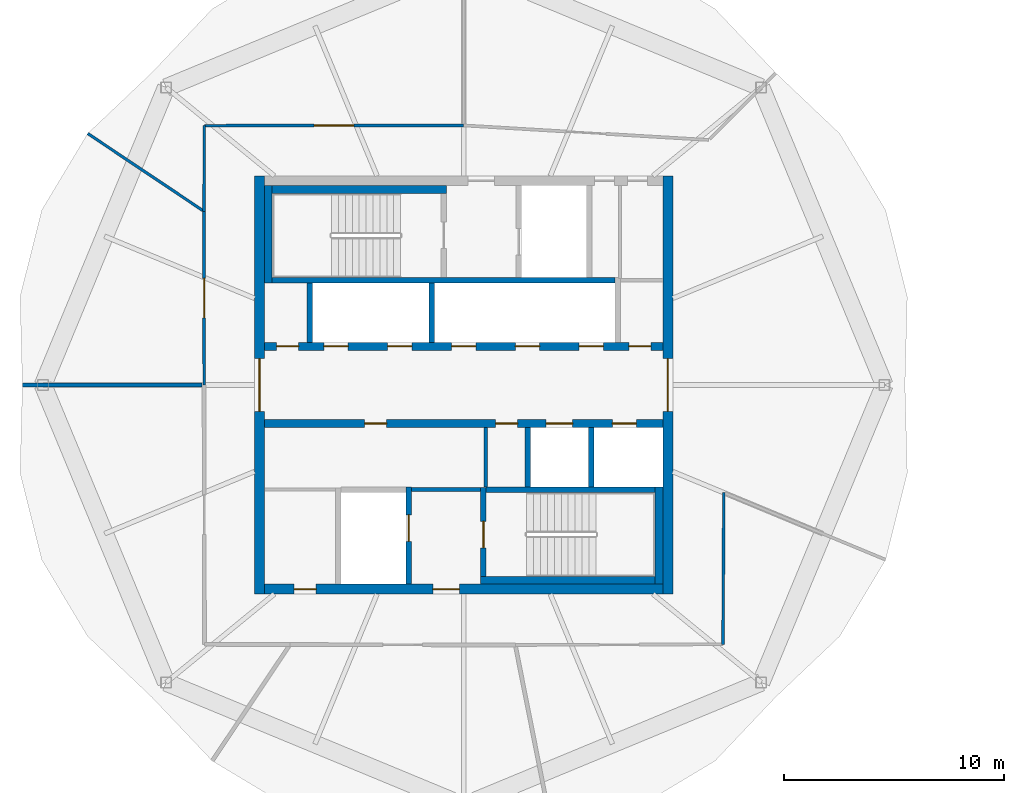
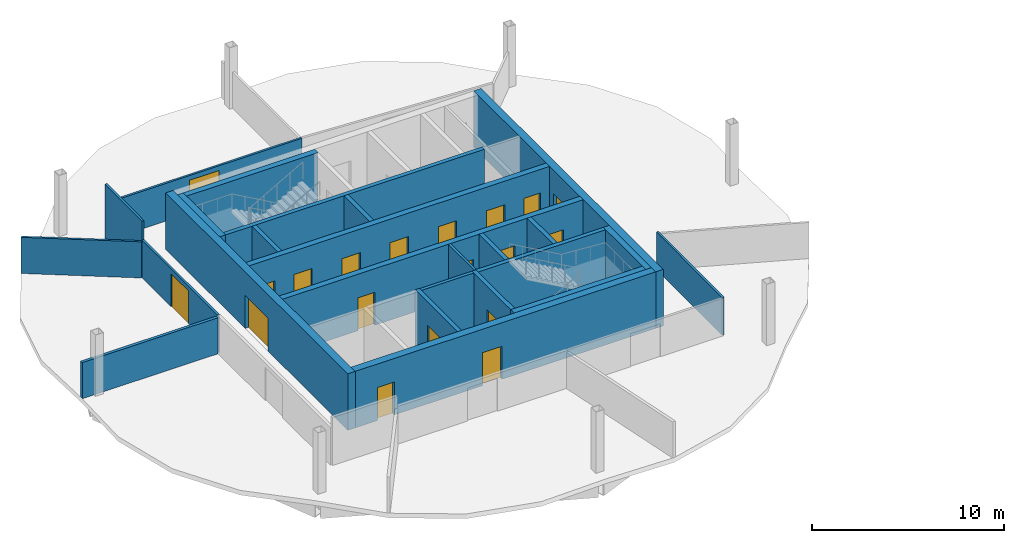
# One storey, part 5 of 10: 25 walls, 19 doors, 19 openings.
"""IFC4 building model written with IfcOpenShell, lengths in metres."""

from ifc_helpers import new_model, si_unit, direction, frame, frame_2d, origin, place, context, subcontext, project, spatial, rectangle, extrude, material, layer, layer_set, type_object, element, fill, save


model = new_model("IFC4")

# Units and contexts
model_context = context("Model", 3, precision=1e-05, world=origin(), true_north=direction((0.0, 1.0)))
body_context = subcontext(model_context, "Body", "Model", "MODEL_VIEW")
ifc_project = project(units=[si_unit("LENGTHUNIT", "METRE"), si_unit("AREAUNIT", "SQUARE_METRE"), si_unit("VOLUMEUNIT", "CUBIC_METRE"), si_unit("PLANEANGLEUNIT", "RADIAN"), si_unit("MASSUNIT", "GRAM", prefix="KILO")], contexts=[model_context])

# Site, building, storey
site_placement = place(None, origin())
site = spatial("IfcSite", under=ifc_project, at=site_placement, CompositionType="ELEMENT")
building_placement = place(site_placement, origin())
building = spatial("IfcBuilding", under=site, at=building_placement, Name="Ogive Gate Towers", CompositionType="ELEMENT")
storey_placement = place(building_placement, frame((0.0, 0.0, 232.800048828125)))
storey = spatial("IfcBuildingStorey", under=building, at=storey_placement, Name="L55", CompositionType="ELEMENT", Elevation=232.800048828125)

# Walls
ifc_material_1 = material(Name="Gypsum board acoustic partition")
ifc_layer_1 = layer(ifc_material_1, 0.175048828125)
ifc_layer_set_1 = layer_set([ifc_layer_1], Name="Acoustic partition 175")
wall_type_1 = type_object("IfcWallType", Name="Acoustic partition 175", PredefinedType="PARTITIONING", material=ifc_layer_set_1)
wall_1_placement = place(storey_placement, frame((-56.049072265625, 0.0, 0.0), z_axis=(0.0, 0.0, 1.0), x_axis=(1.0, 0.0, 0.0)))
element("IfcWall", 1, at=wall_1_placement, inside=storey, type_object=wall_type_1, Name="Partition T1-L55-004", PredefinedType="PARTITIONING", context=body_context, shape_type="SweptSolid", body=[
    extrude(rectangle(XDim=8.171630859375, YDim=0.175048828125, at=frame_2d((4.0859375, 0.0))), origin(), (0.0, 0.0, 1.0), 2.300048828125),
])
ifc_material_2 = material(Name="Masonry blockwork", Category="masonry")
ifc_layer_2 = layer(ifc_material_2, 0.199951171875)
ifc_layer_set_2 = layer_set([ifc_layer_2], Name="Blockwork wall 200 mm")
wall_type_2 = type_object("IfcWallType", Name="Blockwork wall 200 mm", PredefinedType="PARTITIONING", material=ifc_layer_set_2)
wall_2_placement = place(storey_placement, frame((-38.375, -4.75, 0.0), z_axis=(0.0, 0.0, 1.0), x_axis=(1.0, 0.0, 0.0)))
element("IfcWall", 2, at=wall_2_placement, inside=storey, type_object=wall_type_2, Name="T1 L55 Blockwork wall 200 mm", PredefinedType="PARTITIONING", context=body_context, shape_type="SweptSolid", body=[
    extrude(rectangle(XDim=3.14990234375, YDim=0.199951171875, at=frame_2d((1.574951171875, 0.0))), origin(), (0.0, 0.0, 1.0), 3.599853515625),
])

# Wall, openings, doors
ifc_material_3 = material(Name="Concrete C60/75", Category="concrete")
ifc_layer_3 = layer(ifc_material_3, 0.449951171875)
ifc_layer_set_3 = layer_set([ifc_layer_3], Name="Core wall 450 mm")
wall_type_3 = type_object("IfcWallType", Name="Core wall 450 mm", PredefinedType="SHEAR", material=ifc_layer_set_3)
wall_3_placement = place(storey_placement, frame((-45.050048828125, -9.27490234375, 0.0), z_axis=(0.0, 0.0, 1.0), x_axis=(1.0, 0.0, 0.0)))
wall_3 = element("IfcWall", 3, at=wall_3_placement, inside=storey, type_object=wall_type_3, Name="T1 L55 Core wall 450 mm", PredefinedType="SHEAR", context=body_context, shape_type="SweptSolid", body=[
    extrude(rectangle(XDim=18.10009765625, YDim=0.449951171875, at=frame_2d((9.050048828125, 0.0))), origin(), (0.0, 0.0, 1.0), 3.599853515625),
])
opening_1_placement = place(wall_3_placement, frame((7.64990234375, 0.0, 0.0)))
opening_1 = element("IfcOpeningElement", 4, at=opening_1_placement, cuts=wall_3, Name="Opening KD-T1-L55-19", PredefinedType="OPENING", context=body_context, shape_type="SweptSolid", body=[
    extrude(rectangle(XDim=1.199951171875, YDim=2.10009765625, at=frame_2d((0.60009765625, 1.050048828125))), frame((0.0, 0.23486328125, 0.0), z_axis=(0.0, -1.0, 0.0), x_axis=(1.0, 0.0, 0.0)), (0.0, 0.0, 1.0), 0.469970703125),
])
opening_2_placement = place(wall_3_placement, frame((1.35009765625, 0.0, 0.0)))
opening_2 = element("IfcOpeningElement", 5, at=opening_2_placement, cuts=wall_3, Name="Opening KD-T1-L55-22", PredefinedType="OPENING", context=body_context, shape_type="SweptSolid", body=[
    extrude(rectangle(XDim=1.0, YDim=2.10009765625, at=frame_2d((0.5, 1.050048828125))), frame((0.0, 0.23486328125, 0.0), z_axis=(0.0, -1.0, 0.0), x_axis=(1.0, 0.0, 0.0)), (0.0, 0.0, 1.0), 0.469970703125),
])
ifc_material_4 = material(Name="Timber door", Category="wood")
door_type_1 = type_object("IfcDoorType", Name="Accessible WC door 1000 x 2100", OperationType="NOTDEFINED", PredefinedType="DOOR", material=ifc_material_4)
door_1_placement = place(opening_2_placement, origin())
door_1 = element("IfcDoor", 6, at=door_1_placement, inside=storey, type_object=door_type_1, Name="T1 L55 Core door", OperationType="SINGLE_SWING_LEFT", OverallHeight=2.10009765625, OverallWidth=1.0, PredefinedType="DOOR", context=body_context, shape_type="SweptSolid", body=[
    extrude(rectangle(XDim=1.0, YDim=2.10009765625, at=frame_2d((0.5, 1.050048828125))), frame((0.0, 0.02490234375, 0.0), z_axis=(0.0, -1.0, 0.0), x_axis=(1.0, 0.0, 0.0)), (0.0, 0.0, 1.0), 0.050048828125),
])
fill(opening_2, door_1)
ifc_material_5 = material(Name="Steel fire door", Category="steel")
door_type_2 = type_object("IfcDoorType", Name="Core door FD60S 1200 x 2100", OperationType="NOTDEFINED", PredefinedType="DOOR", material=ifc_material_5)
door_2_placement = place(opening_1_placement, origin())
door_2 = element("IfcDoor", 7, at=door_2_placement, inside=storey, type_object=door_type_2, Name="T1 L55 Fire-fighting lobby door", OperationType="SINGLE_SWING_RIGHT", OverallHeight=2.10009765625, OverallWidth=1.199951171875, PredefinedType="DOOR", context=body_context, shape_type="SweptSolid", body=[
    extrude(rectangle(XDim=1.199951171875, YDim=2.10009765625, at=frame_2d((0.60009765625, 1.050048828125))), frame((0.0, 0.02490234375, 0.0), z_axis=(0.0, -1.0, 0.0), x_axis=(1.0, 0.0, 0.0)), (0.0, 0.0, 1.0), 0.050048828125),
])
fill(opening_1, door_2)

# Wall, opening, door
wall_4_placement = place(storey_placement, frame((-45.27490234375, -9.5, 0.0), z_axis=(0.0, 0.0, 1.0), x_axis=(0.0, 1.0, 0.0)))
wall_4 = element("IfcWall", 8, at=wall_4_placement, inside=storey, type_object=wall_type_3, Name="T1 L55 Core wall 450 mm", PredefinedType="SHEAR", context=body_context, shape_type="SweptSolid", body=[
    extrude(rectangle(XDim=19.0, YDim=0.449951171875, at=frame_2d((9.5, 0.0))), origin(), (0.0, 0.0, 1.0), 3.599853515625),
])
opening_3_placement = place(wall_4_placement, frame((8.300048828125, 0.0, 0.0)))
opening_3 = element("IfcOpeningElement", 9, at=opening_3_placement, cuts=wall_4, Name="Opening KD-T1-L55-01", PredefinedType="OPENING", context=body_context, shape_type="SweptSolid", body=[
    extrude(rectangle(XDim=2.39990234375, YDim=2.10009765625, at=frame_2d((1.199951171875, 1.050048828125))), frame((0.0, 0.23486328125, 0.0), z_axis=(0.0, -1.0, 0.0), x_axis=(1.0, 0.0, 0.0)), (0.0, 0.0, 1.0), 0.469970703125),
])
door_type_3 = type_object("IfcDoorType", Name="Core double door FD60S 2400 x 2100", OperationType="DOUBLE_DOOR_SINGLE_SWING", PredefinedType="DOOR", material=ifc_material_5)
door_3_placement = place(opening_3_placement, origin())
door_3 = element("IfcDoor", 10, at=door_3_placement, inside=storey, type_object=door_type_3, Name="T1 L55 Core door double", OperationType="DOUBLE_DOOR_SINGLE_SWING", OverallHeight=2.10009765625, OverallWidth=2.39990234375, PredefinedType="DOOR", context=body_context, shape_type="SweptSolid", body=[
    extrude(rectangle(XDim=2.39990234375, YDim=2.10009765625, at=frame_2d((1.199951171875, 1.050048828125))), frame((0.0, 0.02490234375, 0.0), z_axis=(0.0, -1.0, 0.0), x_axis=(1.0, 0.0, 0.0)), (0.0, 0.0, 1.0), 0.050048828125),
])
fill(opening_3, door_3)

wall_5_placement = place(storey_placement, frame((-26.72509765625, -9.5, 0.0), z_axis=(0.0, 0.0, 1.0), x_axis=(0.0, 1.0, 0.0)))
wall_5 = element("IfcWall", 11, at=wall_5_placement, inside=storey, type_object=wall_type_3, Name="T1 L55 Core wall 450 mm", PredefinedType="SHEAR", context=body_context, shape_type="SweptSolid", body=[
    extrude(rectangle(XDim=19.0, YDim=0.449951171875, at=frame_2d((9.5, 0.0))), origin(), (0.0, 0.0, 1.0), 3.599853515625),
])
opening_4_placement = place(wall_5_placement, frame((8.300048828125, 0.0, 0.0)))
opening_4 = element("IfcOpeningElement", 12, at=opening_4_placement, cuts=wall_5, Name="Opening KD-T1-L55-02", PredefinedType="OPENING", context=body_context, shape_type="SweptSolid", body=[
    extrude(rectangle(XDim=2.39990234375, YDim=2.10009765625, at=frame_2d((1.199951171875, 1.050048828125))), frame((0.0, 0.23486328125, 0.0), z_axis=(0.0, -1.0, 0.0), x_axis=(1.0, 0.0, 0.0)), (0.0, 0.0, 1.0), 0.469970703125),
])
door_4_placement = place(opening_4_placement, origin())
door_4 = element("IfcDoor", 13, at=door_4_placement, inside=storey, type_object=door_type_3, Name="T1 L55 Core door double", OperationType="DOUBLE_DOOR_SINGLE_SWING", OverallHeight=2.10009765625, OverallWidth=2.39990234375, PredefinedType="DOOR", context=body_context, shape_type="SweptSolid", body=[
    extrude(rectangle(XDim=2.39990234375, YDim=2.10009765625, at=frame_2d((1.199951171875, 1.050048828125))), frame((0.0, 0.02490234375, 0.0), z_axis=(0.0, -1.0, 0.0), x_axis=(1.0, 0.0, 0.0)), (0.0, 0.0, 1.0), 0.050048828125),
])
fill(opening_4, door_4)

# Walls
ifc_material_6 = material(Name="Gypsum board partition")
ifc_layer_4 = layer(ifc_material_6, 0.125)
ifc_layer_set_4 = layer_set([ifc_layer_4], Name="Partition 125")
wall_type_4 = type_object("IfcWallType", Name="Partition 125", PredefinedType="PARTITIONING", material=ifc_layer_set_4)
wall_6_placement = place(storey_placement, frame((-53.081298828125, 11.424072265625, 0.0), z_axis=(0.0, 0.0, 1.0), x_axis=(0.831214202949, -0.555952290054, 0.0)))
element("IfcWall", 14, at=wall_6_placement, inside=storey, type_object=wall_type_4, Name="Partition T1-L55-003", PredefinedType="PARTITIONING", context=body_context, shape_type="SweptSolid", body=[
    extrude(rectangle(XDim=6.29638671875, YDim=0.125, at=frame_2d((3.148193359375, 0.0))), origin(), (0.0, 0.0, 1.0), 2.300048828125),
])
wall_7_placement = place(storey_placement, frame((-24.219970703125, -11.780029296875, 0.0), z_axis=(0.0, 0.0, 1.0), x_axis=(0.005425259683, 0.99998528317, 0.0)))
element("IfcWall", 15, at=wall_7_placement, inside=storey, type_object=wall_type_4, Name="Partition T1-L55-010", PredefinedType="PARTITIONING", context=body_context, shape_type="SweptSolid", body=[
    extrude(rectangle(XDim=6.885009765625, YDim=0.125, at=frame_2d((3.4423828125, 0.0))), origin(), (0.0, 0.0, 1.0), 2.39990234375),
])

# Wall, opening, door
wall_8_placement = place(storey_placement, frame((-36.0, 11.7900390625, 0.0), z_axis=(0.0, 0.0, 1.0), x_axis=(-0.999999638985, -0.000849723015, 0.0)))
wall_8 = element("IfcWall", 16, at=wall_8_placement, inside=storey, type_object=wall_type_4, Name="Partition T1-L55-012", PredefinedType="PARTITIONING", context=body_context, shape_type="SweptSolid", body=[
    extrude(rectangle(XDim=11.780029296875, YDim=0.125, at=frame_2d((5.89013671875, 0.0))), origin(), (0.0, 0.0, 1.0), 2.39990234375),
])
opening_5_placement = place(wall_8_placement, frame((4.989990234375, 0.0, 0.0)))
opening_5 = element("IfcOpeningElement", 17, at=opening_5_placement, cuts=wall_8, Name="Opening T1-L55-D04", PredefinedType="OPENING", context=body_context, shape_type="SweptSolid", body=[
    extrude(rectangle(XDim=1.800048828125, YDim=2.10009765625, at=frame_2d((0.89990234375, 1.050048828125))), frame((0.0, 0.072509765625, 0.0), z_axis=(0.0, -1.0, 0.0), x_axis=(1.0, 0.0, 0.0)), (0.0, 0.0, 1.0), 0.14501953125),
])
door_type_4 = type_object("IfcDoorType", Name="Door pair 1800", OperationType="NOTDEFINED", PredefinedType="DOOR", material=ifc_material_4)
door_5_placement = place(opening_5_placement, origin())
door_5 = element("IfcDoor", 18, at=door_5_placement, inside=storey, type_object=door_type_4, Name="Door T1-L55-D04", OperationType="DOUBLE_DOOR_DOUBLE_SWING", OverallHeight=2.10009765625, OverallWidth=1.800048828125, PredefinedType="DOOR", context=body_context, shape_type="SweptSolid", body=[
    extrude(rectangle(XDim=1.800048828125, YDim=2.10009765625, at=frame_2d((0.89990234375, 1.050048828125))), frame((0.0, 0.02490234375, 0.0), z_axis=(0.0, -1.0, 0.0), x_axis=(1.0, 0.0, 0.0)), (0.0, 0.0, 1.0), 0.050048828125),
])
fill(opening_5, door_5)

# Wall
wall_9_placement = place(storey_placement, frame((-47.780029296875, 11.780029296875, 0.0), z_axis=(0.0, 0.0, 1.0), x_axis=(-0.004015527922, -0.999991937735, 0.0)))
element("IfcWall", 19, at=wall_9_placement, inside=storey, type_object=wall_type_4, Name="Partition T1-L55-013", PredefinedType="PARTITIONING", context=body_context, shape_type="SweptSolid", body=[
    extrude(rectangle(XDim=3.89111328125, YDim=0.125, at=frame_2d((1.945556640625, 0.0))), origin(), (0.0, 0.0, 1.0), 3.599853515625),
])

# Wall, opening, door
wall_10_placement = place(storey_placement, frame((-47.795654296875, 7.888916015625, 0.0), z_axis=(0.0, 0.0, 1.0), x_axis=(0.000711787645, -0.999999746679, 0.0)))
wall_10 = element("IfcWall", 20, at=wall_10_placement, inside=storey, type_object=wall_type_4, Name="Partition T1-L55-014", PredefinedType="PARTITIONING", context=body_context, shape_type="SweptSolid", body=[
    extrude(rectangle(XDim=7.888916015625, YDim=0.125, at=frame_2d((3.9443359375, 0.0))), origin(), (0.0, 0.0, 1.0), 2.39990234375),
])
opening_6_placement = place(wall_10_placement, frame((3.0439453125, 0.0, 0.0)))
opening_6 = element("IfcOpeningElement", 21, at=opening_6_placement, cuts=wall_10, Name="Opening T1-L55-D05", PredefinedType="OPENING", context=body_context, shape_type="SweptSolid", body=[
    extrude(rectangle(XDim=1.800048828125, YDim=2.10009765625, at=frame_2d((0.89990234375, 1.050048828125))), frame((0.0, 0.072509765625, 0.0), z_axis=(0.0, -1.0, 0.0), x_axis=(1.0, 0.0, 0.0)), (0.0, 0.0, 1.0), 0.14501953125),
])
door_6_placement = place(opening_6_placement, origin())
door_6 = element("IfcDoor", 22, at=door_6_placement, inside=storey, type_object=door_type_4, Name="Door T1-L55-D05", OperationType="DOUBLE_DOOR_DOUBLE_SWING", OverallHeight=2.10009765625, OverallWidth=1.800048828125, PredefinedType="DOOR", context=body_context, shape_type="SweptSolid", body=[
    extrude(rectangle(XDim=1.800048828125, YDim=2.10009765625, at=frame_2d((0.89990234375, 1.050048828125))), frame((0.0, 0.02490234375, 0.0), z_axis=(0.0, -1.0, 0.0), x_axis=(1.0, 0.0, 0.0)), (0.0, 0.0, 1.0), 0.050048828125),
])
fill(opening_6, door_6)

# Walls
ifc_layer_5 = layer(ifc_material_6, 0.14990234375)
ifc_layer_set_5 = layer_set([ifc_layer_5], Name="Room partition 150 mm")
wall_type_5 = type_object("IfcWallType", Name="Room partition 150 mm", PredefinedType="PARTITIONING", material=ifc_layer_set_5)
wall_11_placement = place(storey_placement, frame((-35.0, -4.625, 0.0), z_axis=(0.0, 0.0, 1.0), x_axis=(0.0, 1.0, 0.0)))
element("IfcWall", 23, at=wall_11_placement, inside=storey, type_object=wall_type_5, Name="T1 L55 Room partition 150 mm", PredefinedType="PARTITIONING", context=body_context, shape_type="SweptSolid", body=[
    extrude(rectangle(XDim=2.699951171875, YDim=0.14990234375, at=frame_2d((1.35009765625, 0.0))), origin(), (0.0, 0.0, 1.0), 3.599853515625),
])
ifc_layer_6 = layer(ifc_material_3, 0.25)
ifc_layer_set_6 = layer_set([ifc_layer_6], Name="Shaft wall 250 mm")
wall_type_6 = type_object("IfcWallType", Name="Shaft wall 250 mm", PredefinedType="SHEAR", material=ifc_layer_set_6)
wall_12_placement = place(storey_placement, frame((-34.97509765625, -4.75, 0.0), z_axis=(0.0, 0.0, 1.0), x_axis=(1.0, 0.0, 0.0)))
element("IfcWall", 24, at=wall_12_placement, inside=storey, type_object=wall_type_6, Name="T1 L55 Shaft wall 250 mm", PredefinedType="SHEAR", context=body_context, shape_type="SweptSolid", body=[
    extrude(rectangle(XDim=7.675048828125, YDim=0.25, at=frame_2d((3.83740234375, 0.0))), origin(), (0.0, 0.0, 1.0), 3.599853515625),
])
wall_13_placement = place(storey_placement, frame((-44.699951171875, 4.75, 0.0), z_axis=(0.0, 0.0, 1.0), x_axis=(1.0, 0.0, 0.0)))
element("IfcWall", 25, at=wall_13_placement, inside=storey, type_object=wall_type_6, Name="T1 L55 Shaft wall 250 mm", PredefinedType="SHEAR", context=body_context, shape_type="SweptSolid", body=[
    extrude(rectangle(XDim=15.574951171875, YDim=0.25, at=frame_2d((7.78759765625, 0.0))), origin(), (0.0, 0.0, 1.0), 3.599853515625),
])
wall_14_placement = place(storey_placement, frame((-43.0, 1.925048828125, 0.0), z_axis=(0.0, 0.0, 1.0), x_axis=(0.0, 1.0, 0.0)))
element("IfcWall", 26, at=wall_14_placement, inside=storey, type_object=wall_type_6, Name="T1 L55 Shaft wall 250 mm", PredefinedType="SHEAR", context=body_context, shape_type="SweptSolid", body=[
    extrude(rectangle(XDim=2.699951171875, YDim=0.25, at=frame_2d((1.35009765625, 0.0))), origin(), (0.0, 0.0, 1.0), 3.599853515625),
])

# Wall, opening, door
wall_15_placement = place(storey_placement, frame((-38.5, -9.050048828125, 0.0), z_axis=(0.0, 0.0, 1.0), x_axis=(0.0, 1.0, 0.0)))
wall_15 = element("IfcWall", 27, at=wall_15_placement, inside=storey, type_object=wall_type_6, Name="T1 L55 Shaft wall 250 mm", PredefinedType="SHEAR", context=body_context, shape_type="SweptSolid", body=[
    extrude(rectangle(XDim=4.425048828125, YDim=0.25, at=frame_2d((2.21240234375, 0.0))), origin(), (0.0, 0.0, 1.0), 3.599853515625),
])
opening_7_placement = place(wall_15_placement, frame((1.949951171875, 0.0, 0.0)))
opening_7 = element("IfcOpeningElement", 28, at=opening_7_placement, cuts=wall_15, Name="Opening LD-T1-L55-13", PredefinedType="OPENING", context=body_context, shape_type="SweptSolid", body=[
    extrude(rectangle(XDim=1.199951171875, YDim=2.10009765625, at=frame_2d((0.60009765625, 1.050048828125))), frame((0.0, 0.135009765625, 0.0), z_axis=(0.0, -1.0, 0.0), x_axis=(1.0, 0.0, 0.0)), (0.0, 0.0, 1.0), 0.27001953125),
])
ifc_material_7 = material(Name="Stainless steel landing door", Category="steel")
door_type_5 = type_object("IfcDoorType", Name="Landing door 1200 x 2100", OperationType="SLIDING_TO_LEFT", PredefinedType="DOOR", material=ifc_material_7)
door_7_placement = place(opening_7_placement, origin())
door_7 = element("IfcDoor", 29, at=door_7_placement, inside=storey, type_object=door_type_5, Name="T1 L55 Lift landing door FF2", OperationType="SLIDING_TO_LEFT", OverallHeight=2.10009765625, OverallWidth=1.199951171875, PredefinedType="DOOR", context=body_context, shape_type="SweptSolid", body=[
    extrude(rectangle(XDim=1.199951171875, YDim=2.10009765625, at=frame_2d((0.60009765625, 1.050048828125))), frame((0.0, 0.02490234375, 0.0), z_axis=(0.0, -1.0, 0.0), x_axis=(1.0, 0.0, 0.0)), (0.0, 0.0, 1.0), 0.050048828125),
])
fill(opening_7, door_7)

# Wall
wall_16_placement = place(storey_placement, frame((-37.449951171875, 1.925048828125, 0.0), z_axis=(0.0, 0.0, 1.0), x_axis=(0.0, 1.0, 0.0)))
element("IfcWall", 30, at=wall_16_placement, inside=storey, type_object=wall_type_6, Name="T1 L55 Shaft wall 250 mm", PredefinedType="SHEAR", context=body_context, shape_type="SweptSolid", body=[
    extrude(rectangle(XDim=2.699951171875, YDim=0.25, at=frame_2d((1.35009765625, 0.0))), origin(), (0.0, 0.0, 1.0), 3.599853515625),
])

# Wall, opening, door
wall_17_placement = place(storey_placement, frame((-35.10009765625, -8.699951171875, 0.0), z_axis=(0.0, 0.0, 1.0), x_axis=(0.0, 1.0, 0.0)))
wall_17 = element("IfcWall", 31, at=wall_17_placement, inside=storey, type_object=wall_type_6, Name="T1 L55 Shaft wall 250 mm", PredefinedType="SHEAR", context=body_context, shape_type="SweptSolid", body=[
    extrude(rectangle(XDim=4.050048828125, YDim=0.25, at=frame_2d((2.02490234375, 0.0))), origin(), (0.0, 0.0, 1.0), 3.599853515625),
])
opening_8_placement = place(wall_17_placement, frame((1.300048828125, 0.0, 0.0)))
opening_8 = element("IfcOpeningElement", 32, at=opening_8_placement, cuts=wall_17, Name="Opening KD-T1-L55-17", PredefinedType="OPENING", context=body_context, shape_type="SweptSolid", body=[
    extrude(rectangle(XDim=1.199951171875, YDim=2.10009765625, at=frame_2d((0.60009765625, 1.050048828125))), frame((0.0, 0.135009765625, 0.0), z_axis=(0.0, -1.0, 0.0), x_axis=(1.0, 0.0, 0.0)), (0.0, 0.0, 1.0), 0.27001953125),
])
door_8_placement = place(opening_8_placement, origin())
door_8 = element("IfcDoor", 33, at=door_8_placement, inside=storey, type_object=door_type_2, Name="T1 L55 Stair door", OperationType="SINGLE_SWING_RIGHT", OverallHeight=2.10009765625, OverallWidth=1.199951171875, PredefinedType="DOOR", context=body_context, shape_type="SweptSolid", body=[
    extrude(rectangle(XDim=1.199951171875, YDim=2.10009765625, at=frame_2d((0.60009765625, 1.050048828125))), frame((0.0, 0.02490234375, 0.0), z_axis=(0.0, -1.0, 0.0), x_axis=(1.0, 0.0, 0.0)), (0.0, 0.0, 1.0), 0.050048828125),
])
fill(opening_8, door_8)

# Walls
for number, where, z_axis, x_axis, name in (
    (34, (-33.10009765625, -4.625, 0.0), (0.0, 0.0, 1.0), (0.0, 1.0, 0.0), "T1 L55 Shaft wall 250 mm"),
    (35, (-30.199951171875, -4.625, 0.0), (0.0, 0.0, 1.0), (0.0, 1.0, 0.0), "T1 L55 Shaft wall 250 mm"),
):
    element("IfcWall", number, at=place(storey_placement, frame(where, z_axis=z_axis, x_axis=x_axis)), inside=storey, type_object=wall_type_6, Name=name, PredefinedType="SHEAR", context=body_context, shape_type="SweptSolid", body=[
        extrude(rectangle(XDim=2.699951171875, YDim=0.25, at=frame_2d((1.35009765625, 0.0))), origin(), (0.0, 0.0, 1.0), 3.599853515625),
    ])

# Wall, openings, doors
ifc_layer_7 = layer(ifc_material_3, 0.35009765625)
ifc_layer_set_7 = layer_set([ifc_layer_7], Name="Spine wall 350 mm")
wall_type_7 = type_object("IfcWallType", Name="Spine wall 350 mm", PredefinedType="SHEAR", material=ifc_layer_set_7)
wall_18_placement = place(storey_placement, frame((-45.050048828125, -1.75, 0.0), z_axis=(0.0, 0.0, 1.0), x_axis=(1.0, 0.0, 0.0)))
wall_18 = element("IfcWall", 36, at=wall_18_placement, inside=storey, type_object=wall_type_7, Name="T1 L55 Spine wall 350 mm", PredefinedType="SHEAR", context=body_context, shape_type="SweptSolid", body=[
    extrude(rectangle(XDim=18.10009765625, YDim=0.35009765625, at=frame_2d((9.050048828125, 0.0))), origin(), (0.0, 0.0, 1.0), 3.599853515625),
])
opening_9_placement = place(wall_18_placement, frame((12.800048828125, 0.0, 0.0)))
opening_9 = element("IfcOpeningElement", 37, at=opening_9_placement, cuts=wall_18, Name="Opening LD-T1-L55-10", PredefinedType="OPENING", context=body_context, shape_type="SweptSolid", body=[
    extrude(rectangle(XDim=1.199951171875, YDim=2.10009765625, at=frame_2d((0.60009765625, 1.050048828125))), frame((0.0, 0.18505859375, 0.0), z_axis=(0.0, -1.0, 0.0), x_axis=(1.0, 0.0, 0.0)), (0.0, 0.0, 1.0), 0.3701171875),
])
opening_10_placement = place(wall_18_placement, frame((15.800048828125, 0.0, 0.0)))
opening_10 = element("IfcOpeningElement", 38, at=opening_10_placement, cuts=wall_18, Name="Opening LD-T1-L55-11", PredefinedType="OPENING", context=body_context, shape_type="SweptSolid", body=[
    extrude(rectangle(XDim=1.10009765625, YDim=2.10009765625, at=frame_2d((0.550048828125, 1.050048828125))), frame((0.0, 0.18505859375, 0.0), z_axis=(0.0, -1.0, 0.0), x_axis=(1.0, 0.0, 0.0)), (0.0, 0.0, 1.0), 0.3701171875),
])
opening_11_placement = place(wall_18_placement, frame((4.550048828125, 0.0, 0.0)))
opening_11 = element("IfcOpeningElement", 39, at=opening_11_placement, cuts=wall_18, Name="Opening KD-T1-L55-14", PredefinedType="OPENING", context=body_context, shape_type="SweptSolid", body=[
    extrude(rectangle(XDim=1.0, YDim=2.10009765625, at=frame_2d((0.5, 1.050048828125))), frame((0.0, 0.18505859375, 0.0), z_axis=(0.0, -1.0, 0.0), x_axis=(1.0, 0.0, 0.0)), (0.0, 0.0, 1.0), 0.3701171875),
])
opening_12_placement = place(wall_18_placement, frame((10.5, 0.0, 0.0)))
opening_12 = element("IfcOpeningElement", 40, at=opening_12_placement, cuts=wall_18, Name="Opening KD-T1-L55-15", PredefinedType="OPENING", context=body_context, shape_type="SweptSolid", body=[
    extrude(rectangle(XDim=1.0, YDim=2.10009765625, at=frame_2d((0.5, 1.050048828125))), frame((0.0, 0.18505859375, 0.0), z_axis=(0.0, -1.0, 0.0), x_axis=(1.0, 0.0, 0.0)), (0.0, 0.0, 1.0), 0.3701171875),
])
door_type_6 = type_object("IfcDoorType", Name="Core door FD60S 1000 x 2100", OperationType="NOTDEFINED", PredefinedType="DOOR", material=ifc_material_5)
door_9_placement = place(opening_11_placement, origin())
door_9 = element("IfcDoor", 41, at=door_9_placement, inside=storey, type_object=door_type_6, Name="T1 L55 Core door", OperationType="SINGLE_SWING_LEFT", OverallHeight=2.10009765625, OverallWidth=1.0, PredefinedType="DOOR", context=body_context, shape_type="SweptSolid", body=[
    extrude(rectangle(XDim=1.0, YDim=2.10009765625, at=frame_2d((0.5, 1.050048828125))), frame((0.0, 0.02490234375, 0.0), z_axis=(0.0, -1.0, 0.0), x_axis=(1.0, 0.0, 0.0)), (0.0, 0.0, 1.0), 0.050048828125),
])
fill(opening_11, door_9)
door_10_placement = place(opening_12_placement, origin())
door_10 = element("IfcDoor", 42, at=door_10_placement, inside=storey, type_object=door_type_6, Name="T1 L55 Core door", OperationType="SINGLE_SWING_RIGHT", OverallHeight=2.10009765625, OverallWidth=1.0, PredefinedType="DOOR", context=body_context, shape_type="SweptSolid", body=[
    extrude(rectangle(XDim=1.0, YDim=2.10009765625, at=frame_2d((0.5, 1.050048828125))), frame((0.0, 0.02490234375, 0.0), z_axis=(0.0, -1.0, 0.0), x_axis=(1.0, 0.0, 0.0)), (0.0, 0.0, 1.0), 0.050048828125),
])
fill(opening_12, door_10)
door_type_7 = type_object("IfcDoorType", Name="Landing door 1100 x 2100", OperationType="SLIDING_TO_LEFT", PredefinedType="DOOR", material=ifc_material_7)
door_11_placement = place(opening_10_placement, origin())
door_11 = element("IfcDoor", 43, at=door_11_placement, inside=storey, type_object=door_type_7, Name="T1 L55 Lift landing door B6", OperationType="SLIDING_TO_LEFT", OverallHeight=2.10009765625, OverallWidth=1.10009765625, PredefinedType="DOOR", context=body_context, shape_type="SweptSolid", body=[
    extrude(rectangle(XDim=1.10009765625, YDim=2.10009765625, at=frame_2d((0.550048828125, 1.050048828125))), frame((0.0, 0.02490234375, 0.0), z_axis=(0.0, -1.0, 0.0), x_axis=(1.0, 0.0, 0.0)), (0.0, 0.0, 1.0), 0.050048828125),
])
fill(opening_10, door_11)
door_12_placement = place(opening_9_placement, origin())
door_12 = element("IfcDoor", 44, at=door_12_placement, inside=storey, type_object=door_type_5, Name="T1 L55 Lift landing door SVC", OperationType="SLIDING_TO_LEFT", OverallHeight=2.10009765625, OverallWidth=1.199951171875, PredefinedType="DOOR", context=body_context, shape_type="SweptSolid", body=[
    extrude(rectangle(XDim=1.199951171875, YDim=2.10009765625, at=frame_2d((0.60009765625, 1.050048828125))), frame((0.0, 0.02490234375, 0.0), z_axis=(0.0, -1.0, 0.0), x_axis=(1.0, 0.0, 0.0)), (0.0, 0.0, 1.0), 0.050048828125),
])
fill(opening_9, door_12)

wall_19_placement = place(storey_placement, frame((-45.050048828125, 1.75, 0.0), z_axis=(0.0, 0.0, 1.0), x_axis=(1.0, 0.0, 0.0)))
wall_19 = element("IfcWall", 45, at=wall_19_placement, inside=storey, type_object=wall_type_7, Name="T1 L55 Spine wall 350 mm", PredefinedType="SHEAR", context=body_context, shape_type="SweptSolid", body=[
    extrude(rectangle(XDim=18.10009765625, YDim=0.35009765625, at=frame_2d((9.050048828125, 0.0))), origin(), (0.0, 0.0, 1.0), 3.599853515625),
])
opening_13_placement = place(wall_19_placement, frame((0.550048828125, 0.0, 0.0)))
opening_13 = element("IfcOpeningElement", 46, at=opening_13_placement, cuts=wall_19, Name="Opening KD-T1-L55-03", PredefinedType="OPENING", context=body_context, shape_type="SweptSolid", body=[
    extrude(rectangle(XDim=1.0, YDim=2.10009765625, at=frame_2d((0.5, 1.050048828125))), frame((0.0, 0.18505859375, 0.0), z_axis=(0.0, -1.0, 0.0), x_axis=(1.0, 0.0, 0.0)), (0.0, 0.0, 1.0), 0.3701171875),
])
opening_14_placement = place(wall_19_placement, frame((2.699951171875, 0.0, 0.0)))
opening_14 = element("IfcOpeningElement", 47, at=opening_14_placement, cuts=wall_19, Name="Opening LD-T1-L55-04", PredefinedType="OPENING", context=body_context, shape_type="SweptSolid", body=[
    extrude(rectangle(XDim=1.10009765625, YDim=2.10009765625, at=frame_2d((0.550048828125, 1.050048828125))), frame((0.0, 0.18505859375, 0.0), z_axis=(0.0, -1.0, 0.0), x_axis=(1.0, 0.0, 0.0)), (0.0, 0.0, 1.0), 0.3701171875),
])
opening_15_placement = place(wall_19_placement, frame((5.60009765625, 0.0, 0.0)))
opening_15 = element("IfcOpeningElement", 48, at=opening_15_placement, cuts=wall_19, Name="Opening LD-T1-L55-05", PredefinedType="OPENING", context=body_context, shape_type="SweptSolid", body=[
    extrude(rectangle(XDim=1.10009765625, YDim=2.10009765625, at=frame_2d((0.550048828125, 1.050048828125))), frame((0.0, 0.18505859375, 0.0), z_axis=(0.0, -1.0, 0.0), x_axis=(1.0, 0.0, 0.0)), (0.0, 0.0, 1.0), 0.3701171875),
])
opening_16_placement = place(wall_19_placement, frame((8.5, 0.0, 0.0)))
opening_16 = element("IfcOpeningElement", 49, at=opening_16_placement, cuts=wall_19, Name="Opening LD-T1-L55-06", PredefinedType="OPENING", context=body_context, shape_type="SweptSolid", body=[
    extrude(rectangle(XDim=1.10009765625, YDim=2.10009765625, at=frame_2d((0.550048828125, 1.050048828125))), frame((0.0, 0.18505859375, 0.0), z_axis=(0.0, -1.0, 0.0), x_axis=(1.0, 0.0, 0.0)), (0.0, 0.0, 1.0), 0.3701171875),
])
opening_17_placement = place(wall_19_placement, frame((11.39990234375, 0.0, 0.0)))
opening_17 = element("IfcOpeningElement", 50, at=opening_17_placement, cuts=wall_19, Name="Opening LD-T1-L55-07", PredefinedType="OPENING", context=body_context, shape_type="SweptSolid", body=[
    extrude(rectangle(XDim=1.10009765625, YDim=2.10009765625, at=frame_2d((0.550048828125, 1.050048828125))), frame((0.0, 0.18505859375, 0.0), z_axis=(0.0, -1.0, 0.0), x_axis=(1.0, 0.0, 0.0)), (0.0, 0.0, 1.0), 0.3701171875),
])
opening_18_placement = place(wall_19_placement, frame((14.300048828125, 0.0, 0.0)))
opening_18 = element("IfcOpeningElement", 51, at=opening_18_placement, cuts=wall_19, Name="Opening LD-T1-L55-08", PredefinedType="OPENING", context=body_context, shape_type="SweptSolid", body=[
    extrude(rectangle(XDim=1.10009765625, YDim=2.10009765625, at=frame_2d((0.550048828125, 1.050048828125))), frame((0.0, 0.18505859375, 0.0), z_axis=(0.0, -1.0, 0.0), x_axis=(1.0, 0.0, 0.0)), (0.0, 0.0, 1.0), 0.3701171875),
])
opening_19_placement = place(wall_19_placement, frame((16.550048828125, 0.0, 0.0)))
opening_19 = element("IfcOpeningElement", 52, at=opening_19_placement, cuts=wall_19, Name="Opening KD-T1-L55-09", PredefinedType="OPENING", context=body_context, shape_type="SweptSolid", body=[
    extrude(rectangle(XDim=1.0, YDim=2.10009765625, at=frame_2d((0.5, 1.050048828125))), frame((0.0, 0.18505859375, 0.0), z_axis=(0.0, -1.0, 0.0), x_axis=(1.0, 0.0, 0.0)), (0.0, 0.0, 1.0), 0.3701171875),
])
door_13_placement = place(opening_13_placement, origin())
door_13 = element("IfcDoor", 53, at=door_13_placement, inside=storey, type_object=door_type_6, Name="T1 L55 Core door", OperationType="SINGLE_SWING_RIGHT", OverallHeight=2.10009765625, OverallWidth=1.0, PredefinedType="DOOR", context=body_context, shape_type="SweptSolid", body=[
    extrude(rectangle(XDim=1.0, YDim=2.10009765625, at=frame_2d((0.5, 1.050048828125))), frame((0.0, 0.02490234375, 0.0), z_axis=(0.0, -1.0, 0.0), x_axis=(1.0, 0.0, 0.0)), (0.0, 0.0, 1.0), 0.050048828125),
])
fill(opening_13, door_13)
door_14_placement = place(opening_19_placement, origin())
door_14 = element("IfcDoor", 54, at=door_14_placement, inside=storey, type_object=door_type_6, Name="T1 L55 Core door", OperationType="SINGLE_SWING_RIGHT", OverallHeight=2.10009765625, OverallWidth=1.0, PredefinedType="DOOR", context=body_context, shape_type="SweptSolid", body=[
    extrude(rectangle(XDim=1.0, YDim=2.10009765625, at=frame_2d((0.5, 1.050048828125))), frame((0.0, 0.02490234375, 0.0), z_axis=(0.0, -1.0, 0.0), x_axis=(1.0, 0.0, 0.0)), (0.0, 0.0, 1.0), 0.050048828125),
])
fill(opening_19, door_14)
door_15_placement = place(opening_14_placement, origin())
door_15 = element("IfcDoor", 55, at=door_15_placement, inside=storey, type_object=door_type_7, Name="T1 L55 Lift landing door B1", OperationType="SLIDING_TO_LEFT", OverallHeight=2.10009765625, OverallWidth=1.10009765625, PredefinedType="DOOR", context=body_context, shape_type="SweptSolid", body=[
    extrude(rectangle(XDim=1.10009765625, YDim=2.10009765625, at=frame_2d((0.550048828125, 1.050048828125))), frame((0.0, 0.02490234375, 0.0), z_axis=(0.0, -1.0, 0.0), x_axis=(1.0, 0.0, 0.0)), (0.0, 0.0, 1.0), 0.050048828125),
])
fill(opening_14, door_15)
door_16_placement = place(opening_15_placement, origin())
door_16 = element("IfcDoor", 56, at=door_16_placement, inside=storey, type_object=door_type_7, Name="T1 L55 Lift landing door B2", OperationType="SLIDING_TO_LEFT", OverallHeight=2.10009765625, OverallWidth=1.10009765625, PredefinedType="DOOR", context=body_context, shape_type="SweptSolid", body=[
    extrude(rectangle(XDim=1.10009765625, YDim=2.10009765625, at=frame_2d((0.550048828125, 1.050048828125))), frame((0.0, 0.02490234375, 0.0), z_axis=(0.0, -1.0, 0.0), x_axis=(1.0, 0.0, 0.0)), (0.0, 0.0, 1.0), 0.050048828125),
])
fill(opening_15, door_16)
door_17_placement = place(opening_16_placement, origin())
door_17 = element("IfcDoor", 57, at=door_17_placement, inside=storey, type_object=door_type_7, Name="T1 L55 Lift landing door B3", OperationType="SLIDING_TO_LEFT", OverallHeight=2.10009765625, OverallWidth=1.10009765625, PredefinedType="DOOR", context=body_context, shape_type="SweptSolid", body=[
    extrude(rectangle(XDim=1.10009765625, YDim=2.10009765625, at=frame_2d((0.550048828125, 1.050048828125))), frame((0.0, 0.02490234375, 0.0), z_axis=(0.0, -1.0, 0.0), x_axis=(1.0, 0.0, 0.0)), (0.0, 0.0, 1.0), 0.050048828125),
])
fill(opening_16, door_17)
door_18_placement = place(opening_17_placement, origin())
door_18 = element("IfcDoor", 58, at=door_18_placement, inside=storey, type_object=door_type_7, Name="T1 L55 Lift landing door B4", OperationType="SLIDING_TO_LEFT", OverallHeight=2.10009765625, OverallWidth=1.10009765625, PredefinedType="DOOR", context=body_context, shape_type="SweptSolid", body=[
    extrude(rectangle(XDim=1.10009765625, YDim=2.10009765625, at=frame_2d((0.550048828125, 1.050048828125))), frame((0.0, 0.02490234375, 0.0), z_axis=(0.0, -1.0, 0.0), x_axis=(1.0, 0.0, 0.0)), (0.0, 0.0, 1.0), 0.050048828125),
])
fill(opening_17, door_18)
door_19_placement = place(opening_18_placement, origin())
door_19 = element("IfcDoor", 59, at=door_19_placement, inside=storey, type_object=door_type_7, Name="T1 L55 Lift landing door B5", OperationType="SLIDING_TO_LEFT", OverallHeight=2.10009765625, OverallWidth=1.10009765625, PredefinedType="DOOR", context=body_context, shape_type="SweptSolid", body=[
    extrude(rectangle(XDim=1.10009765625, YDim=2.10009765625, at=frame_2d((0.550048828125, 1.050048828125))), frame((0.0, 0.02490234375, 0.0), z_axis=(0.0, -1.0, 0.0), x_axis=(1.0, 0.0, 0.0)), (0.0, 0.0, 1.0), 0.050048828125),
])
fill(opening_18, door_19)

# Walls
ifc_layer_8 = layer(ifc_material_3, 0.35009765625)
ifc_layer_set_8 = layer_set([ifc_layer_8], Name="Stair wall 350 mm")
wall_type_8 = type_object("IfcWallType", Name="Stair wall 350 mm", PredefinedType="SHEAR", material=ifc_layer_set_8)
for number, where, z_axis, x_axis, name in (
    (60, (-35.22509765625, -8.875, 0.0), (0.0, 0.0, 1.0), (1.0, 0.0, 0.0), "T1 L55 Stair wall 350 mm"),
    (61, (-44.699951171875, 8.875, 0.0), (0.0, 0.0, 1.0), (1.0, 0.0, 0.0), "T1 L55 Stair wall 350 mm"),
):
    element("IfcWall", number, at=place(storey_placement, frame(where, z_axis=z_axis, x_axis=x_axis)), inside=storey, type_object=wall_type_8, Name=name, PredefinedType="SHEAR", context=body_context, shape_type="SweptSolid", body=[
        extrude(rectangle(XDim=7.925048828125, YDim=0.35009765625, at=frame_2d((3.96240234375, 0.0))), origin(), (0.0, 0.0, 1.0), 3.599853515625),
    ])
for number, where, z_axis, x_axis, name in (
    (62, (-44.875, 4.625, 0.0), (0.0, 0.0, 1.0), (0.0, 1.0, 0.0), "T1 L55 Stair wall 350 mm"),
    (63, (-27.125, -9.050048828125, 0.0), (0.0, 0.0, 1.0), (0.0, 1.0, 0.0), "T1 L55 Stair wall 350 mm"),
):
    element("IfcWall", number, at=place(storey_placement, frame(where, z_axis=z_axis, x_axis=x_axis)), inside=storey, type_object=wall_type_8, Name=name, PredefinedType="SHEAR", context=body_context, shape_type="SweptSolid", body=[
        extrude(rectangle(XDim=4.425048828125, YDim=0.35009765625, at=frame_2d((2.21240234375, 0.0))), origin(), (0.0, 0.0, 1.0), 3.599853515625),
    ])

save(model, "model.ifc")
